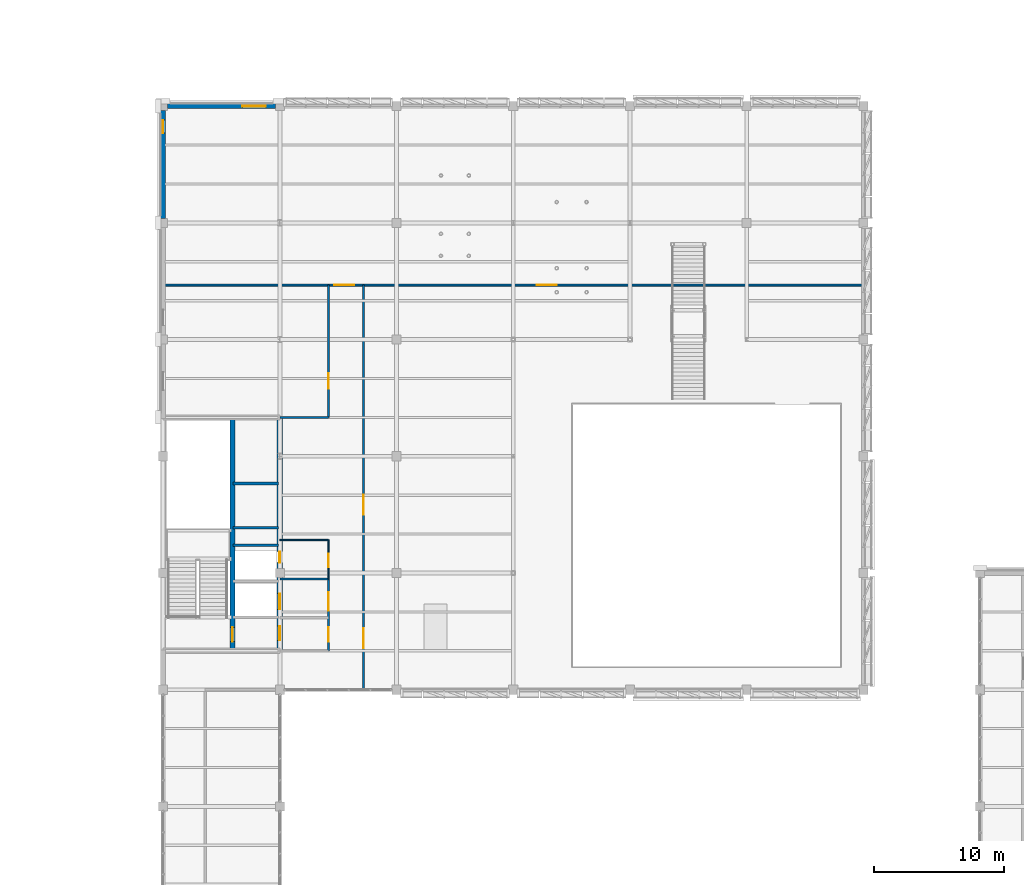
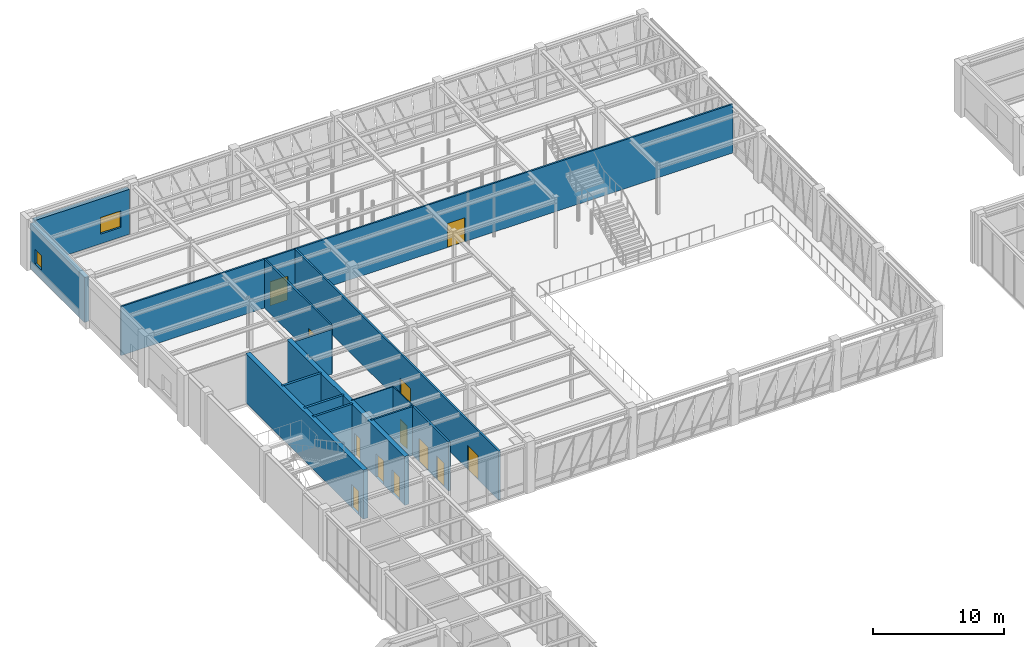
# One storey, part 84 of 92: 15 walls, 12 doors, 2 windows, 14 openings.
"""IFC4 building model written with IfcOpenShell, lengths in metres."""

import ifcopenshell
import ifcopenshell.guid

model = None  # the IFC model being written
_history = None  # IfcOwnerHistory: only IFC2X3 demands one
_inside = {}  # id of a spatial element -> (the spatial element, [elements in it])
_under = {}  # id of a project, library or spatial element -> (it, [spatial elements below it])
_declared = {}  # id of a project -> (the project, [libraries it declares])
_typed = {}  # id of a type object -> (the type object, [elements of that type])
_made_of = {}  # id of a material, layer set ... -> (it, [elements and type objects made of it])


def new_model(schema):
    """Start an empty IFC model of exactly this schema.

    Asked for "IFC4X3", IfcOpenShell would pick the latest addendum, in which some entities
    have other attributes; the version numbers below select the first issue.
    IFC2X3 requires an IfcOwnerHistory on every rooted entity: one is made here for all.
    """
    global model, _history
    if schema == "IFC4X3":
        model = ifcopenshell.file(schema_version=(4, 3, 0, 0))
    else:
        model = ifcopenshell.file(schema=schema)
    _inside.clear()
    _under.clear()
    _declared.clear()
    _typed.clear()
    _made_of.clear()
    _history = None
    if model.schema == "IFC2X3":
        org = make("IfcOrganization", Name="unknown")
        user = make(
            "IfcPersonAndOrganization",
            ThePerson=make("IfcPerson", FamilyName="unknown"),
            TheOrganization=org,
        )
        app = make(
            "IfcApplication",
            ApplicationDeveloper=org,
            Version="unknown",
            ApplicationFullName="unknown",
            ApplicationIdentifier="unknown",
        )
        _history = make(
            "IfcOwnerHistory",
            OwningUser=user,
            OwningApplication=app,
            ChangeAction="ADDED",
            CreationDate=0,
        )
    return model


def make(cls, **values):
    """One entity of the class cls with the attributes given. An attribute that is None is left unset."""
    return model.create_entity(
        cls, **{name: value for name, value in values.items() if value is not None}
    )


def rooted(cls, **values):
    """An entity with a GlobalId (a new one), such as an element, a storey or a relation."""
    return make(cls, GlobalId=ifcopenshell.guid.new(), OwnerHistory=_history, **values)


def si_unit(unit_type, name, prefix=None):
    """IfcSIUnit, for example si_unit("LENGTHUNIT", "METRE", prefix="MILLI")."""
    return make("IfcSIUnit", UnitType=unit_type, Prefix=prefix, Name=name)


def assignment(units):
    """IfcUnitAssignment: the units of a project."""
    return None if units is None else make("IfcUnitAssignment", Units=units)


def point(xyz):
    """IfcCartesianPoint."""
    return None if xyz is None else make("IfcCartesianPoint", Coordinates=xyz)


def direction(xyz):
    """IfcDirection."""
    return None if xyz is None else make("IfcDirection", DirectionRatios=xyz)


def frame(location, z_axis=None, x_axis=None):
    """IfcAxis2Placement3D, a coordinate frame: its origin and axes. An axis left out is left unset."""
    return make(
        "IfcAxis2Placement3D",
        Location=point(location),
        Axis=direction(z_axis),
        RefDirection=direction(x_axis),
    )


def frame_2d(location, x_axis=None):
    """IfcAxis2Placement2D, a coordinate frame in the plane: its origin and x axis."""
    return make(
        "IfcAxis2Placement2D", Location=point(location), RefDirection=direction(x_axis)
    )


def origin():
    """The frame at (0, 0, 0) with its axes left unset."""
    return frame((0.0, 0.0, 0.0))


def place(relative_to, where):
    """IfcLocalPlacement: puts the frame where relative to a parent placement (None: the world)."""
    return make(
        "IfcLocalPlacement", PlacementRelTo=relative_to, RelativePlacement=where
    )


def context(
    kind, dimensions, precision=None, world=None, true_north=None, identifier=None
):
    """IfcGeometricRepresentationContext, for example the 3D "Model" context."""
    return make(
        "IfcGeometricRepresentationContext",
        ContextIdentifier=identifier,
        ContextType=kind,
        CoordinateSpaceDimension=dimensions,
        Precision=precision,
        WorldCoordinateSystem=world,
        TrueNorth=true_north,
    )


def subcontext(parent, identifier, kind, view, scale=None):
    """IfcGeometricRepresentationSubContext, for example "Body" below "Model"."""
    return make(
        "IfcGeometricRepresentationSubContext",
        ContextIdentifier=identifier,
        ContextType=kind,
        ParentContext=parent,
        TargetScale=scale,
        TargetView=view,
    )


def project(units=None, contexts=None):
    """IfcProject with its units and contexts."""
    return rooted(
        "IfcProject",
        Name="project",
        RepresentationContexts=contexts,
        UnitsInContext=assignment(units),
    )


def spatial(cls, under=None, at=None, **own):
    """A site, building, storey or space (cls), placed at a placement, below another one or the project."""
    s = rooted(cls, ObjectPlacement=at, **own)
    if under is not None:
        _under.setdefault(under.id(), (under, []))[1].append(s)
    return s


def profile(cls, at=None, kind="AREA", **sizes):
    """A parametric profile (cls). Its sizes go by their IFC names, for example OverallWidth=200.0."""
    return make(cls, ProfileType=kind, Position=at, **sizes)


def rectangle(**sizes):
    """IfcRectangleProfileDef."""
    return profile("IfcRectangleProfileDef", **sizes)


def extrude(swept, where, along, depth):
    """IfcExtrudedAreaSolid: the profile swept, set in the frame where, extruded along a direction by depth."""
    return make(
        "IfcExtrudedAreaSolid",
        SweptArea=swept,
        Position=where,
        ExtrudedDirection=direction(along),
        Depth=depth,
    )


def shape(context_of_items, identifier, shape_type, items):
    """IfcShapeRepresentation: the items that make up one representation, for example the "Body"."""
    return make(
        "IfcShapeRepresentation",
        ContextOfItems=context_of_items,
        RepresentationIdentifier=identifier,
        RepresentationType=shape_type,
        Items=items,
    )


def material(Name=None, Category=None):
    """IfcMaterial."""
    return make("IfcMaterial", Name=Name, Category=Category)


def layer(
    of_material, thickness, ventilated=None, Name=None, Category=None, Priority=None
):
    """IfcMaterialLayer: one layer of a wall or slab, of a material (None: an air gap)."""
    return make(
        "IfcMaterialLayer",
        Material=of_material,
        LayerThickness=thickness,
        IsVentilated=ventilated,
        Name=Name,
        Category=Category,
        Priority=Priority,
    )


def layer_set(layers, Name=None):
    """IfcMaterialLayerSet."""
    return make("IfcMaterialLayerSet", MaterialLayers=layers, LayerSetName=Name)


def made_of(thing, what):
    """Note that an element or type object is made of a material, layer set ...; save() writes the relation."""
    if what is not None:
        _made_of.setdefault(what.id(), (what, []))[1].append(thing)
    return thing


def type_object(cls, material=None, **own):
    """A type object (cls), such as IfcWallType, which elements share."""
    return made_of(rooted(cls, **own), material)


def element(
    cls,
    number,
    at=None,
    inside=None,
    cuts=None,
    type_object=None,
    material=None,
    context=None,
    identifier="Body",
    shape_type=None,
    held_by="IfcProductDefinitionShape",
    body=None,
    shapes=None,
    **own,
):
    """One element of the class cls, such as IfcWall. Its Tag is "e" and its number.

    at: its placement. inside: the storey or other place that contains it. cuts: it is an
    opening in that element (IfcRelVoidsElement). A single representation is given by context,
    identifier, shape_type and body (its items); several are given by shapes. held_by: the class
    of the entity that holds the representations. save() writes the other relations.
    """
    e = rooted(cls, Tag="e%d" % number, ObjectPlacement=at, **own)
    if body is not None:
        shapes = [shape(context, identifier, shape_type, body)]
    if shapes is not None:
        e.Representation = make(held_by, Representations=shapes)
    if inside is not None:
        _inside.setdefault(inside.id(), (inside, []))[1].append(e)
    if cuts is not None:
        rooted(
            "IfcRelVoidsElement", RelatingBuildingElement=cuts, RelatedOpeningElement=e
        )
    if type_object is not None:
        _typed.setdefault(type_object.id(), (type_object, []))[1].append(e)
    return made_of(e, material)


def fill(opening, filler):
    """IfcRelFillsElement: the door or window that sits in an opening."""
    return rooted(
        "IfcRelFillsElement",
        RelatingOpeningElement=opening,
        RelatedBuildingElement=filler,
    )


def aggregate(whole, parts):
    """IfcRelAggregates: a whole, such as a stair, and the parts it consists of."""
    return rooted("IfcRelAggregates", RelatingObject=whole, RelatedObjects=parts)


def save(model, path):
    """Write the relations noted so far, then the file.

    IfcRelAggregates (storeys below a building ...), IfcRelContainedInSpatialStructure (elements
    in a storey), IfcRelDefinesByType, IfcRelAssociatesMaterial and IfcRelDeclares: one each for
    every whole, place, type object, material and project.
    """
    for whole, parts in _under.values():
        aggregate(whole, parts)
    for where, things in _inside.values():
        rooted(
            "IfcRelContainedInSpatialStructure",
            RelatedElements=things,
            RelatingStructure=where,
        )
    for kind, things in _typed.values():
        rooted("IfcRelDefinesByType", RelatedObjects=things, RelatingType=kind)
    for what, things in _made_of.values():
        rooted("IfcRelAssociatesMaterial", RelatedObjects=things, RelatingMaterial=what)
    for by, libraries in _declared.values():
        rooted("IfcRelDeclares", RelatingContext=by, RelatedDefinitions=libraries)
    model.write(path)


model = new_model("IFC4")

# Units and contexts
model_context = context("Model", 3, precision=1e-05, world=origin(), true_north=direction((0.0, 1.0)))
body_context = subcontext(model_context, "Body", "Model", "MODEL_VIEW")
ifc_project = project(units=[si_unit("LENGTHUNIT", "METRE"), si_unit("AREAUNIT", "SQUARE_METRE"), si_unit("VOLUMEUNIT", "CUBIC_METRE"), si_unit("PLANEANGLEUNIT", "RADIAN"), si_unit("MASSUNIT", "GRAM", prefix="KILO")], contexts=[model_context])

# Site, building, storey
site_placement = place(None, origin())
site = spatial("IfcSite", under=ifc_project, at=site_placement, CompositionType="ELEMENT")
building_placement = place(site_placement, origin())
building = spatial("IfcBuilding", under=site, at=building_placement, Name="Lykobir Media Centre", CompositionType="ELEMENT")
storey_placement = place(building_placement, frame((0.0, 0.0, 5.39990234375)))
storey = spatial("IfcBuildingStorey", under=building, at=storey_placement, Name="L01", CompositionType="ELEMENT", Elevation=5.39990234375)

# Wall, opening, window
ifc_material_1 = material(Name="Honed Travertine Stone", Category="masonry")
ifc_layer_1 = layer(ifc_material_1, 0.389892578125, Name="Honed Travertine Stone")
ifc_layer_set_1 = layer_set([ifc_layer_1], Name="Honed Travertine Stone")
wall_type_1 = type_object("IfcWallType", Name="EW-TRAV-390", PredefinedType="STANDARD", material=ifc_layer_set_1)
wall_1_placement = place(storey_placement, frame((35.6650390625, 108.0, 0.0), z_axis=(0.0, 0.0, 1.0), x_axis=(-1.0, 0.0, 0.0)))
wall_1 = element("IfcWall", 1, at=wall_1_placement, inside=storey, type_object=wall_type_1, Name="Exterior wall WALL-L01-0139", PredefinedType="STANDARD", context=body_context, shape_type="SweptSolid", body=[
    extrude(rectangle(XDim=8.330078125, YDim=0.389892578125, at=frame_2d((4.1650390625, 0.0))), origin(), (0.0, 0.0, 1.0), 4.195068359375),
])
opening_1_placement = place(wall_1_placement, frame((0.75, 0.0, 0.89990234375)))
opening_1 = element("IfcOpeningElement", 2, at=opening_1_placement, cuts=wall_1, Name="Opening WN-1800x1550", PredefinedType="OPENING", context=body_context, shape_type="SweptSolid", body=[
    extrude(rectangle(XDim=1.800048828125, YDim=1.550048828125, at=frame_2d((0.89990234375, 0.77490234375))), frame((0.0, 0.204833984375, 0.0), z_axis=(0.0, -1.0, 0.0), x_axis=(1.0, 0.0, 0.0)), (0.0, 0.0, 1.0), 0.409912109375),
])
ifc_material_2 = material(Name="Low-E Laminated Triple Glazing", Category="glass")
window_type_1 = type_object("IfcWindowType", Name="WN-1800x1550", PartitioningType="SINGLE_PANEL", PredefinedType="WINDOW", material=ifc_material_2)
window_1_placement = place(opening_1_placement, origin())
window_1 = element("IfcWindow", 3, at=window_1_placement, inside=storey, type_object=window_type_1, Name="Window WIN-L01-0037", OverallHeight=1.550048828125, OverallWidth=1.800048828125, PartitioningType="SINGLE_PANEL", PredefinedType="WINDOW", context=body_context, shape_type="SweptSolid", body=[
    extrude(rectangle(XDim=1.800048828125, YDim=1.550048828125, at=frame_2d((0.89990234375, 0.77490234375))), frame((0.0, 0.030029296875, 0.0), z_axis=(0.0, -1.0, 0.0), x_axis=(1.0, 0.0, 0.0)), (0.0, 0.0, 1.0), 0.06005859375),
])
fill(opening_1, window_1)

wall_2_placement = place(storey_placement, frame((27.0, 107.6650390625, 0.0), z_axis=(0.0, 0.0, 1.0), x_axis=(0.0, -1.0, 0.0)))
wall_2 = element("IfcWall", 4, at=wall_2_placement, inside=storey, type_object=wall_type_1, Name="Exterior wall WALL-L01-0143", PredefinedType="STANDARD", context=body_context, shape_type="SweptSolid", body=[
    extrude(rectangle(XDim=8.330078125, YDim=0.389892578125, at=frame_2d((4.1650390625, 0.0))), origin(), (0.0, 0.0, 1.0), 4.195068359375),
])
opening_2_placement = place(wall_2_placement, frame((0.75, 0.0, 0.89990234375)))
opening_2 = element("IfcOpeningElement", 5, at=opening_2_placement, cuts=wall_2, Name="Opening WN-1000x1350", PredefinedType="OPENING", context=body_context, shape_type="SweptSolid", body=[
    extrude(rectangle(XDim=1.0, YDim=1.35009765625, at=frame_2d((0.5, 0.675048828125))), frame((0.0, 0.204833984375, 0.0), z_axis=(0.0, -1.0, 0.0), x_axis=(1.0, 0.0, 0.0)), (0.0, 0.0, 1.0), 0.409912109375),
])
window_type_2 = type_object("IfcWindowType", Name="WN-1000x1350", PartitioningType="SINGLE_PANEL", PredefinedType="WINDOW", material=ifc_material_2)
window_2_placement = place(opening_2_placement, origin())
window_2 = element("IfcWindow", 6, at=window_2_placement, inside=storey, type_object=window_type_2, Name="Window WIN-L01-0040", OverallHeight=1.35009765625, OverallWidth=1.0, PartitioningType="SINGLE_PANEL", PredefinedType="WINDOW", context=body_context, shape_type="SweptSolid", body=[
    extrude(rectangle(XDim=1.0, YDim=1.35009765625, at=frame_2d((0.5, 0.675048828125))), frame((0.0, 0.030029296875, 0.0), z_axis=(0.0, -1.0, 0.0), x_axis=(1.0, 0.0, 0.0)), (0.0, 0.0, 1.0), 0.06005859375),
])
fill(opening_2, window_2)

# Wall, opening, door
ifc_material_3 = material(Name="Acoustic Gypsum Board", Category="gypsum")
ifc_layer_2 = layer(ifc_material_3, 0.14501953125, Name="Acoustic Gypsum Board")
ifc_layer_set_2 = layer_set([ifc_layer_2], Name="Acoustic Gypsum Board")
wall_type_2 = type_object("IfcWallType", Name="IW-COR-145", PredefinedType="PARTITIONING", material=ifc_layer_set_2)
wall_3_placement = place(storey_placement, frame((39.75, 84.0, 0.0), z_axis=(0.0, 0.0, 1.0), x_axis=(0.0, 1.0, 0.0)))
wall_3 = element("IfcWall", 7, at=wall_3_placement, inside=storey, type_object=wall_type_2, Name="Wall IWALL-L01-0688", PredefinedType="PARTITIONING", context=body_context, shape_type="SweptSolid", body=[
    extrude(rectangle(XDim=10.199951171875, YDim=0.14501953125, at=frame_2d((5.10009765625, 0.0))), origin(), (0.0, 0.0, 1.0), 4.56005859375),
])
opening_3_placement = place(wall_3_placement, frame((2.199951171875, 0.0, 0.0)))
opening_3 = element("IfcOpeningElement", 8, at=opening_3_placement, cuts=wall_3, Name="Opening D-L01-NWS1", PredefinedType="OPENING", context=body_context, shape_type="SweptSolid", body=[
    extrude(rectangle(XDim=1.199951171875, YDim=2.179931640625, at=frame_2d((0.60009765625, 1.08984375))), frame((0.0, 0.08251953125, 0.0), z_axis=(0.0, -1.0, 0.0), x_axis=(1.0, 0.0, 0.0)), (0.0, 0.0, 1.0), 0.1650390625),
])
ifc_material_4 = material(Name="Acoustic Timber Panelling", Category="wood")
door_type_1 = type_object("IfcDoorType", Name="FD-1200x2180", OperationType="NOTDEFINED", PredefinedType="DOOR", material=ifc_material_4)
door_1_placement = place(opening_3_placement, origin())
door_1 = element("IfcDoor", 9, at=door_1_placement, inside=storey, type_object=door_type_1, Name="Door D-L01-NWS1", OperationType="SINGLE_SWING_RIGHT", OverallHeight=2.179931640625, OverallWidth=1.199951171875, PredefinedType="DOOR", context=body_context, shape_type="SweptSolid", body=[
    extrude(rectangle(XDim=1.199951171875, YDim=2.179931640625, at=frame_2d((0.60009765625, 1.08984375))), frame((0.0, 0.02490234375, 0.0), z_axis=(0.0, -1.0, 0.0), x_axis=(1.0, 0.0, 0.0)), (0.0, 0.0, 1.0), 0.050048828125),
])
fill(opening_3, door_1)

# Wall, openings, doors
wall_4_placement = place(storey_placement, frame((27.0, 94.199951171875, 0.0), z_axis=(0.0, 0.0, 1.0), x_axis=(1.0, 0.0, 0.0)))
wall_4 = element("IfcWall", 10, at=wall_4_placement, inside=storey, type_object=wall_type_2, Name="Wall IWALL-L01-0689", PredefinedType="PARTITIONING", context=body_context, shape_type="SweptSolid", body=[
    extrude(rectangle(XDim=54.0, YDim=0.14501953125, at=frame_2d((27.0, 0.0))), origin(), (0.0, 0.0, 1.0), 4.56005859375),
])
opening_4_placement = place(wall_4_placement, frame((13.199951171875, 0.0, 0.0)))
opening_4 = element("IfcOpeningElement", 11, at=opening_4_placement, cuts=wall_4, Name="Opening D-L01-LIB1", PredefinedType="OPENING", context=body_context, shape_type="SweptSolid", body=[
    extrude(rectangle(XDim=1.550048828125, YDim=2.239990234375, at=frame_2d((0.77490234375, 1.1201171875))), frame((0.0, 0.08251953125, 0.0), z_axis=(0.0, -1.0, 0.0), x_axis=(1.0, 0.0, 0.0)), (0.0, 0.0, 1.0), 0.1650390625),
])
opening_5_placement = place(wall_4_placement, frame((28.800048828125, 0.0, 0.0)))
opening_5 = element("IfcOpeningElement", 12, at=opening_5_placement, cuts=wall_4, Name="Opening D-L01-LIB2", PredefinedType="OPENING", context=body_context, shape_type="SweptSolid", body=[
    extrude(rectangle(XDim=1.550048828125, YDim=2.239990234375, at=frame_2d((0.77490234375, 1.1201171875))), frame((0.0, 0.08251953125, 0.0), z_axis=(0.0, -1.0, 0.0), x_axis=(1.0, 0.0, 0.0)), (0.0, 0.0, 1.0), 0.1650390625),
])
door_type_2 = type_object("IfcDoorType", Name="FD-1550x2240", OperationType="NOTDEFINED", PredefinedType="DOOR", material=ifc_material_4)
door_2_placement = place(opening_4_placement, origin())
door_2 = element("IfcDoor", 13, at=door_2_placement, inside=storey, type_object=door_type_2, Name="Door D-L01-LIB1", OperationType="DOUBLE_DOOR_SINGLE_SWING", OverallHeight=2.239990234375, OverallWidth=1.550048828125, PredefinedType="DOOR", context=body_context, shape_type="SweptSolid", body=[
    extrude(rectangle(XDim=1.550048828125, YDim=2.239990234375, at=frame_2d((0.77490234375, 1.1201171875))), frame((0.0, 0.02490234375, 0.0), z_axis=(0.0, -1.0, 0.0), x_axis=(1.0, 0.0, 0.0)), (0.0, 0.0, 1.0), 0.050048828125),
])
fill(opening_4, door_2)
door_3_placement = place(opening_5_placement, origin())
door_3 = element("IfcDoor", 14, at=door_3_placement, inside=storey, type_object=door_type_2, Name="Door D-L01-LIB2", OperationType="DOUBLE_DOOR_SINGLE_SWING", OverallHeight=2.239990234375, OverallWidth=1.550048828125, PredefinedType="DOOR", context=body_context, shape_type="SweptSolid", body=[
    extrude(rectangle(XDim=1.550048828125, YDim=2.239990234375, at=frame_2d((0.77490234375, 1.1201171875))), frame((0.0, 0.02490234375, 0.0), z_axis=(0.0, -1.0, 0.0), x_axis=(1.0, 0.0, 0.0)), (0.0, 0.0, 1.0), 0.050048828125),
])
fill(opening_5, door_3)

ifc_layer_3 = layer(ifc_material_3, 0.159912109375, Name="Acoustic Gypsum Board")
ifc_layer_set_3 = layer_set([ifc_layer_3], Name="Acoustic Gypsum Board")
wall_type_3 = type_object("IfcWallType", Name="IW-COR-160", PredefinedType="PARTITIONING", material=ifc_layer_set_3)
wall_5_placement = place(storey_placement, frame((39.75, 66.0, 0.0), z_axis=(0.0, 0.0, 1.0), x_axis=(0.0, 1.0, 0.0)))
wall_5 = element("IfcWall", 15, at=wall_5_placement, inside=storey, type_object=wall_type_3, Name="Wall IWALL-L01-0385", PredefinedType="PARTITIONING", context=body_context, shape_type="SweptSolid", body=[
    extrude(rectangle(XDim=5.550048828125, YDim=0.159912109375, at=frame_2d((2.77490234375, 0.0))), origin(), (0.0, 0.0, 1.0), 4.56005859375),
])
opening_6_placement = place(wall_5_placement, frame((0.699951171875, 0.0, 0.0)))
opening_6 = element("IfcOpeningElement", 16, at=opening_6_placement, cuts=wall_5, Name="Opening D-L01-C3LV", PredefinedType="OPENING", context=body_context, shape_type="SweptSolid", body=[
    extrude(rectangle(XDim=1.10009765625, YDim=2.159912109375, at=frame_2d((0.550048828125, 1.080078125))), frame((0.0, 0.08984375, 0.0), z_axis=(0.0, -1.0, 0.0), x_axis=(1.0, 0.0, 0.0)), (0.0, 0.0, 1.0), 0.179931640625),
])
opening_7_placement = place(wall_5_placement, frame((3.10009765625, 0.0, 0.0)))
opening_7 = element("IfcOpeningElement", 17, at=opening_7_placement, cuts=wall_5, Name="Opening D-L01-C3PL", PredefinedType="OPENING", context=body_context, shape_type="SweptSolid", body=[
    extrude(rectangle(XDim=1.39990234375, YDim=2.199951171875, at=frame_2d((0.699951171875, 1.10009765625))), frame((0.0, 0.08984375, 0.0), z_axis=(0.0, -1.0, 0.0), x_axis=(1.0, 0.0, 0.0)), (0.0, 0.0, 1.0), 0.179931640625),
])
door_type_3 = type_object("IfcDoorType", Name="FD-1100x2160", OperationType="NOTDEFINED", PredefinedType="DOOR", material=ifc_material_4)
door_4_placement = place(opening_6_placement, origin())
door_4 = element("IfcDoor", 18, at=door_4_placement, inside=storey, type_object=door_type_3, Name="Door D-L01-C3LV", OperationType="SINGLE_SWING_LEFT", OverallHeight=2.159912109375, OverallWidth=1.10009765625, PredefinedType="DOOR", context=body_context, shape_type="SweptSolid", body=[
    extrude(rectangle(XDim=1.10009765625, YDim=2.159912109375, at=frame_2d((0.550048828125, 1.080078125))), frame((0.0, 0.02490234375, 0.0), z_axis=(0.0, -1.0, 0.0), x_axis=(1.0, 0.0, 0.0)), (0.0, 0.0, 1.0), 0.050048828125),
])
fill(opening_6, door_4)
door_type_4 = type_object("IfcDoorType", Name="FD-1400x2200", OperationType="NOTDEFINED", PredefinedType="DOOR", material=ifc_material_4)
door_5_placement = place(opening_7_placement, origin())
door_5 = element("IfcDoor", 19, at=door_5_placement, inside=storey, type_object=door_type_4, Name="Door D-L01-C3PL", OperationType="DOUBLE_DOOR_SINGLE_SWING", OverallHeight=2.199951171875, OverallWidth=1.39990234375, PredefinedType="DOOR", context=body_context, shape_type="SweptSolid", body=[
    extrude(rectangle(XDim=1.39990234375, YDim=2.199951171875, at=frame_2d((0.699951171875, 1.10009765625))), frame((0.0, 0.02490234375, 0.0), z_axis=(0.0, -1.0, 0.0), x_axis=(1.0, 0.0, 0.0)), (0.0, 0.0, 1.0), 0.050048828125),
])
fill(opening_7, door_5)

# Wall
wall_6_placement = place(storey_placement, frame((36.0, 71.550048828125, 0.0), z_axis=(0.0, 0.0, 1.0), x_axis=(1.0, 0.0, 0.0)))
element("IfcWall", 20, at=wall_6_placement, inside=storey, type_object=wall_type_3, Name="Wall IWALL-L01-0388", PredefinedType="PARTITIONING", context=body_context, shape_type="SweptSolid", body=[
    extrude(rectangle(XDim=3.75, YDim=0.159912109375, at=frame_2d((1.875, 0.0))), origin(), (0.0, 0.0, 1.0), 4.56005859375),
])

# Wall, openings, doors
wall_7_placement = place(storey_placement, frame((42.449951171875, 63.0, 0.0), z_axis=(0.0, 0.0, 1.0), x_axis=(0.0, 1.0, 0.0)))
wall_7 = element("IfcWall", 21, at=wall_7_placement, inside=storey, type_object=wall_type_3, Name="Wall IWALL-L01-0686", PredefinedType="PARTITIONING", context=body_context, shape_type="SweptSolid", body=[
    extrude(rectangle(XDim=31.199951171875, YDim=0.159912109375, at=frame_2d((15.60009765625, 0.0))), origin(), (0.0, 0.0, 1.0), 4.56005859375),
])
opening_8_placement = place(wall_7_placement, frame((3.199951171875, 0.0, 0.0)))
opening_8 = element("IfcOpeningElement", 22, at=opening_8_placement, cuts=wall_7, Name="Opening D-L01-VAL1", PredefinedType="OPENING", context=body_context, shape_type="SweptSolid", body=[
    extrude(rectangle(XDim=1.550048828125, YDim=2.239990234375, at=frame_2d((0.77490234375, 1.1201171875))), frame((0.0, 0.08984375, 0.0), z_axis=(0.0, -1.0, 0.0), x_axis=(1.0, 0.0, 0.0)), (0.0, 0.0, 1.0), 0.179931640625),
])
opening_9_placement = place(wall_7_placement, frame((13.5, 0.0, 0.0)))
opening_9 = element("IfcOpeningElement", 23, at=opening_9_placement, cuts=wall_7, Name="Opening D-L01-VAL2", PredefinedType="OPENING", context=body_context, shape_type="SweptSolid", body=[
    extrude(rectangle(XDim=1.550048828125, YDim=2.239990234375, at=frame_2d((0.77490234375, 1.1201171875))), frame((0.0, 0.08984375, 0.0), z_axis=(0.0, -1.0, 0.0), x_axis=(1.0, 0.0, 0.0)), (0.0, 0.0, 1.0), 0.179931640625),
])
door_6_placement = place(opening_8_placement, origin())
door_6 = element("IfcDoor", 24, at=door_6_placement, inside=storey, type_object=door_type_2, Name="Door D-L01-VAL1", OperationType="DOUBLE_DOOR_SINGLE_SWING", OverallHeight=2.239990234375, OverallWidth=1.550048828125, PredefinedType="DOOR", context=body_context, shape_type="SweptSolid", body=[
    extrude(rectangle(XDim=1.550048828125, YDim=2.239990234375, at=frame_2d((0.77490234375, 1.1201171875))), frame((0.0, 0.02490234375, 0.0), z_axis=(0.0, -1.0, 0.0), x_axis=(1.0, 0.0, 0.0)), (0.0, 0.0, 1.0), 0.050048828125),
])
fill(opening_8, door_6)
door_7_placement = place(opening_9_placement, origin())
door_7 = element("IfcDoor", 25, at=door_7_placement, inside=storey, type_object=door_type_2, Name="Door D-L01-VAL2", OperationType="DOUBLE_DOOR_SINGLE_SWING", OverallHeight=2.239990234375, OverallWidth=1.550048828125, PredefinedType="DOOR", context=body_context, shape_type="SweptSolid", body=[
    extrude(rectangle(XDim=1.550048828125, YDim=2.239990234375, at=frame_2d((0.77490234375, 1.1201171875))), frame((0.0, 0.02490234375, 0.0), z_axis=(0.0, -1.0, 0.0), x_axis=(1.0, 0.0, 0.0)), (0.0, 0.0, 1.0), 0.050048828125),
])
fill(opening_9, door_7)

# Walls
wall_8_placement = place(storey_placement, frame((36.0, 84.0, 0.0), z_axis=(0.0, 0.0, 1.0), x_axis=(1.0, 0.0, 0.0)))
element("IfcWall", 26, at=wall_8_placement, inside=storey, type_object=wall_type_3, Name="Wall IWALL-L01-0687", PredefinedType="PARTITIONING", context=body_context, shape_type="SweptSolid", body=[
    extrude(rectangle(XDim=3.75, YDim=0.159912109375, at=frame_2d((1.875, 0.0))), origin(), (0.0, 0.0, 1.0), 4.18505859375),
])
ifc_material_5 = material(Name="Concrete C30/37", Category="concrete")
ifc_layer_4 = layer(ifc_material_5, 0.199951171875, Name="Concrete C30/37")
ifc_layer_set_4 = layer_set([ifc_layer_4], Name="Concrete C30/37")
wall_type_4 = type_object("IfcWallType", Name="IW-SHAFT-200", PredefinedType="PARTITIONING", material=ifc_layer_set_4)
for number, where, z_axis, x_axis, name in (
    (27, (32.39990234375, 74.14990234375, 0.0), (0.0, 0.0, 1.0), (1.0, 0.0, 0.0), "Wall IWALL-L01-0382"),
    (28, (32.39990234375, 75.5, 0.0), (0.0, 0.0, 1.0), (1.0, 0.0, 0.0), "Wall IWALL-L01-0383"),
    (29, (32.39990234375, 78.89990234375, 0.0), (0.0, 0.0, 1.0), (1.0, 0.0, 0.0), "Wall IWALL-L01-0384"),
):
    element("IfcWall", number, at=place(storey_placement, frame(where, z_axis=z_axis, x_axis=x_axis)), inside=storey, type_object=wall_type_4, Name=name, PredefinedType="PARTITIONING", context=body_context, shape_type="SweptSolid", body=[
        extrude(rectangle(XDim=3.5, YDim=0.199951171875, at=frame_2d((1.75, 0.0))), origin(), (0.0, 0.0, 1.0), 4.56005859375),
    ])

# Wall, opening, door
ifc_layer_5 = layer(ifc_material_3, 0.094970703125, Name="Acoustic Gypsum Board")
ifc_layer_set_5 = layer_set([ifc_layer_5], Name="Acoustic Gypsum Board")
wall_type_5 = type_object("IfcWallType", Name="IW-WC-095", PredefinedType="PARTITIONING", material=ifc_layer_set_5)
wall_9_placement = place(storey_placement, frame((39.75, 71.550048828125, 0.0), z_axis=(0.0, 0.0, 1.0), x_axis=(0.0, 1.0, 0.0)))
wall_9 = element("IfcWall", 30, at=wall_9_placement, inside=storey, type_object=wall_type_5, Name="Wall IWALL-L01-0389", PredefinedType="PARTITIONING", context=body_context, shape_type="SweptSolid", body=[
    extrude(rectangle(XDim=3.0, YDim=0.094970703125, at=frame_2d((1.5, 0.0))), origin(), (0.0, 0.0, 1.0), 4.56005859375),
])
opening_10_placement = place(wall_9_placement, frame((0.89990234375, 0.0, 0.0)))
opening_10 = element("IfcOpeningElement", 31, at=opening_10_placement, cuts=wall_9, Name="Opening D-L01-WCA3", PredefinedType="OPENING", context=body_context, shape_type="SweptSolid", body=[
    extrude(rectangle(XDim=1.050048828125, YDim=2.1298828125, at=frame_2d((0.52490234375, 1.06494140625))), frame((0.0, 0.057373046875, 0.0), z_axis=(0.0, -1.0, 0.0), x_axis=(1.0, 0.0, 0.0)), (0.0, 0.0, 1.0), 0.114990234375),
])
door_type_5 = type_object("IfcDoorType", Name="ID-1050x2130", OperationType="NOTDEFINED", PredefinedType="DOOR", material=ifc_material_4)
door_8_placement = place(opening_10_placement, origin())
door_8 = element("IfcDoor", 32, at=door_8_placement, inside=storey, type_object=door_type_5, Name="Door D-L01-WCA3", OperationType="SINGLE_SWING_RIGHT", OverallHeight=2.1298828125, OverallWidth=1.050048828125, PredefinedType="DOOR", context=body_context, shape_type="SweptSolid", body=[
    extrude(rectangle(XDim=1.050048828125, YDim=2.1298828125, at=frame_2d((0.52490234375, 1.06494140625))), frame((0.0, 0.02490234375, 0.0), z_axis=(0.0, -1.0, 0.0), x_axis=(1.0, 0.0, 0.0)), (0.0, 0.0, 1.0), 0.050048828125),
])
fill(opening_10, door_8)

# Wall
wall_10_placement = place(storey_placement, frame((36.0, 74.550048828125, 0.0), z_axis=(0.0, 0.0, 1.0), x_axis=(1.0, 0.0, 0.0)))
element("IfcWall", 33, at=wall_10_placement, inside=storey, type_object=wall_type_5, Name="Wall IWALL-L01-0390", PredefinedType="PARTITIONING", context=body_context, shape_type="SweptSolid", body=[
    extrude(rectangle(XDim=3.75, YDim=0.094970703125, at=frame_2d((1.875, 0.0))), origin(), (0.0, 0.0, 1.0), 4.56005859375),
])

# Wall, openings, doors
ifc_material_6 = material(Name="Concrete C40/50", Category="concrete")
ifc_layer_6 = layer(ifc_material_6, 0.39990234375, Name="Concrete C40/50")
ifc_layer_set_6 = layer_set([ifc_layer_6], Name="Concrete C40/50")
wall_type_6 = type_object("IfcWallType", Name="SW-CORE-400", PredefinedType="SHEAR", material=ifc_layer_set_6)
wall_11_placement = place(storey_placement, frame((36.0, 66.0, 0.0), z_axis=(0.0, 0.0, 1.0), x_axis=(0.0, 1.0, 0.0)))
wall_11 = element("IfcWall", 34, at=wall_11_placement, inside=storey, type_object=wall_type_6, Name="Wall IWALL-L01-0376", PredefinedType="SHEAR", context=body_context, shape_type="SweptSolid", body=[
    extrude(rectangle(XDim=18.0, YDim=0.39990234375, at=frame_2d((9.0, 0.0))), origin(), (0.0, 0.0, 1.0), 4.56005859375),
])
opening_11_placement = place(wall_11_placement, frame((0.800048828125, 0.0, 0.0)))
opening_11 = element("IfcOpeningElement", 35, at=opening_11_placement, cuts=wall_11, Name="Opening D-L01-C3VB", PredefinedType="OPENING", context=body_context, shape_type="SweptSolid", body=[
    extrude(rectangle(XDim=1.10009765625, YDim=2.159912109375, at=frame_2d((0.550048828125, 1.080078125))), frame((0.0, 0.2099609375, 0.0), z_axis=(0.0, -1.0, 0.0), x_axis=(1.0, 0.0, 0.0)), (0.0, 0.0, 1.0), 0.419921875),
])
opening_12_placement = place(wall_11_placement, frame((3.199951171875, 0.0, 0.0)))
opening_12 = element("IfcOpeningElement", 36, at=opening_12_placement, cuts=wall_11, Name="Opening LD-L01-PL-3", PredefinedType="OPENING", context=body_context, shape_type="SweptSolid", body=[
    extrude(rectangle(XDim=1.199951171875, YDim=2.199951171875, at=frame_2d((0.60009765625, 1.10009765625))), frame((0.0, 0.2099609375, 0.0), z_axis=(0.0, -1.0, 0.0), x_axis=(1.0, 0.0, 0.0)), (0.0, 0.0, 1.0), 0.419921875),
])
opening_13_placement = place(wall_11_placement, frame((6.800048828125, 0.0, 0.0)))
opening_13 = element("IfcOpeningElement", 37, at=opening_13_placement, cuts=wall_11, Name="Opening D-L01-C3RS", PredefinedType="OPENING", context=body_context, shape_type="SweptSolid", body=[
    extrude(rectangle(XDim=0.85009765625, YDim=2.10009765625, at=frame_2d((0.425048828125, 1.050048828125))), frame((0.0, 0.2099609375, 0.0), z_axis=(0.0, -1.0, 0.0), x_axis=(1.0, 0.0, 0.0)), (0.0, 0.0, 1.0), 0.419921875),
])
ifc_material_7 = material(Name="Anodized Aluminium AW-6060", Category="aluminium")
door_type_6 = type_object("IfcDoorType", Name="FD-0850x2100", OperationType="NOTDEFINED", PredefinedType="DOOR", material=ifc_material_7)
door_9_placement = place(opening_13_placement, origin())
door_9 = element("IfcDoor", 38, at=door_9_placement, inside=storey, type_object=door_type_6, Name="Riser access door C3 L01", OperationType="SINGLE_SWING_RIGHT", OverallHeight=2.10009765625, OverallWidth=0.85009765625, PredefinedType="DOOR", context=body_context, shape_type="SweptSolid", body=[
    extrude(rectangle(XDim=0.85009765625, YDim=2.10009765625, at=frame_2d((0.425048828125, 1.050048828125))), frame((0.0, 0.02490234375, 0.0), z_axis=(0.0, -1.0, 0.0), x_axis=(1.0, 0.0, 0.0)), (0.0, 0.0, 1.0), 0.050048828125),
])
fill(opening_13, door_9)
door_10_placement = place(opening_11_placement, origin())
door_10 = element("IfcDoor", 39, at=door_10_placement, inside=storey, type_object=door_type_3, Name="Door D-L01-C3VB", OperationType="SINGLE_SWING_LEFT", OverallHeight=2.159912109375, OverallWidth=1.10009765625, PredefinedType="DOOR", context=body_context, shape_type="SweptSolid", body=[
    extrude(rectangle(XDim=1.10009765625, YDim=2.159912109375, at=frame_2d((0.550048828125, 1.080078125))), frame((0.0, 0.02490234375, 0.0), z_axis=(0.0, -1.0, 0.0), x_axis=(1.0, 0.0, 0.0)), (0.0, 0.0, 1.0), 0.050048828125),
])
fill(opening_11, door_10)
door_type_7 = type_object("IfcDoorType", Name="LD-1200x2200", OperationType="NOTDEFINED", PredefinedType="DOOR", material=ifc_material_7)
door_11_placement = place(opening_12_placement, origin())
door_11 = element("IfcDoor", 40, at=door_11_placement, inside=storey, type_object=door_type_7, Name="Lift landing door PL-3 L01", OperationType="SLIDING_TO_LEFT", OverallHeight=2.199951171875, OverallWidth=1.199951171875, PredefinedType="DOOR", context=body_context, shape_type="SweptSolid", body=[
    extrude(rectangle(XDim=1.199951171875, YDim=2.199951171875, at=frame_2d((0.60009765625, 1.10009765625))), frame((0.0, 0.02490234375, 0.0), z_axis=(0.0, -1.0, 0.0), x_axis=(1.0, 0.0, 0.0)), (0.0, 0.0, 1.0), 0.050048828125),
])
fill(opening_12, door_11)

# Wall, opening, door
wall_12_placement = place(storey_placement, frame((32.35009765625, 66.0, 0.0), z_axis=(0.0, 0.0, 1.0), x_axis=(0.0, 1.0, 0.0)))
wall_12 = element("IfcWall", 41, at=wall_12_placement, inside=storey, type_object=wall_type_6, Name="Wall IWALL-L01-0379", PredefinedType="SHEAR", context=body_context, shape_type="SweptSolid", body=[
    extrude(rectangle(XDim=18.0, YDim=0.39990234375, at=frame_2d((9.0, 0.0))), origin(), (0.0, 0.0, 1.0), 4.56005859375),
])
opening_14_placement = place(wall_12_placement, frame((0.699951171875, 0.0, 0.0)))
opening_14 = element("IfcOpeningElement", 42, at=opening_14_placement, cuts=wall_12, Name="Opening D-L01-C3ST", PredefinedType="OPENING", context=body_context, shape_type="SweptSolid", body=[
    extrude(rectangle(XDim=1.10009765625, YDim=2.159912109375, at=frame_2d((0.550048828125, 1.080078125))), frame((0.0, 0.2099609375, 0.0), z_axis=(0.0, -1.0, 0.0), x_axis=(1.0, 0.0, 0.0)), (0.0, 0.0, 1.0), 0.419921875),
])
door_12_placement = place(opening_14_placement, frame((1.10009765625, 0.0, 0.0), z_axis=(0.0, 0.0, 1.0), x_axis=(-1.0, 0.0, 0.0)))
door_12 = element("IfcDoor", 43, at=door_12_placement, inside=storey, type_object=door_type_3, Name="L01 ST-3 stairwell fire door", OperationType="SINGLE_SWING_RIGHT", OverallHeight=2.159912109375, OverallWidth=1.10009765625, PredefinedType="DOOR", context=body_context, shape_type="SweptSolid", body=[
    extrude(rectangle(XDim=1.10009765625, YDim=2.159912109375, at=frame_2d((0.550048828125, 1.080078125))), frame((0.0, 0.02490234375, 0.0), z_axis=(0.0, -1.0, 0.0), x_axis=(1.0, 0.0, 0.0)), (0.0, 0.0, 1.0), 0.050048828125),
])
fill(opening_14, door_12)

save(model, "model.ifc")
